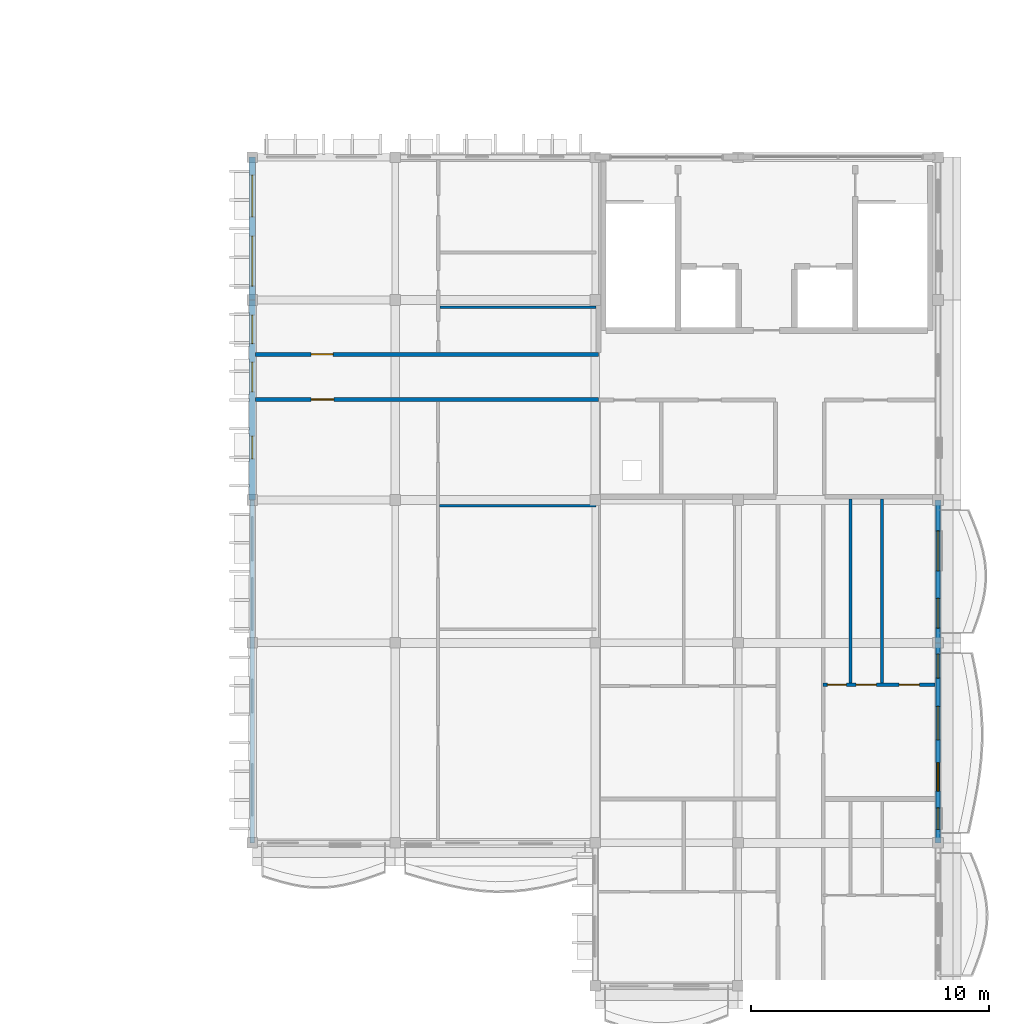
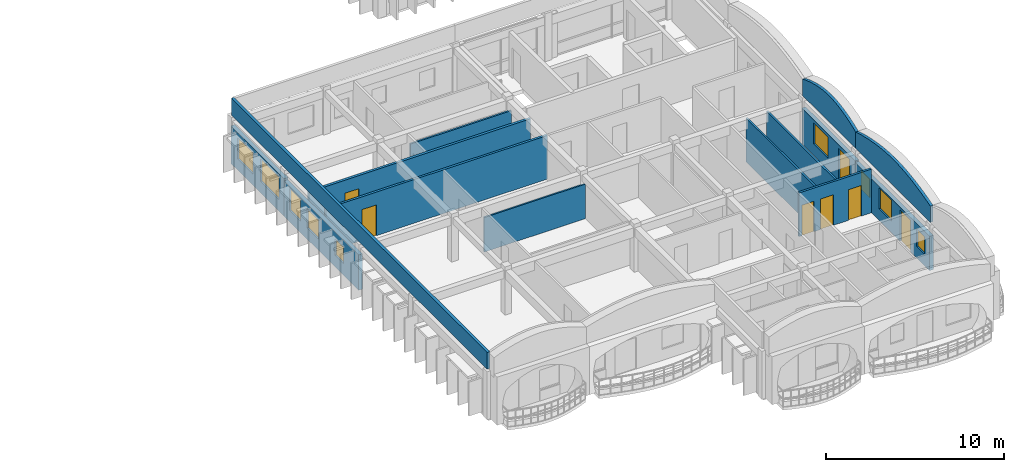
# One storey, part 28 of 59: 14 walls, 9 windows, 7 doors, 16 openings.
"""IFC4 building model written with IfcOpenShell, lengths in metres."""

from ifc_helpers import new_model, si_unit, direction, frame, frame_2d, origin, place, context, subcontext, project, spatial, polyline, rectangle, outline, extrude, material, layer, layer_set, type_object, element, fill, save


model = new_model("IFC4")

# Units and contexts
model_context = context("Model", 3, precision=1e-05, world=origin(), true_north=direction((0.0, 1.0)))
body_context = subcontext(model_context, "Body", "Model", "MODEL_VIEW")
ifc_project = project(units=[si_unit("LENGTHUNIT", "METRE"), si_unit("AREAUNIT", "SQUARE_METRE"), si_unit("VOLUMEUNIT", "CUBIC_METRE"), si_unit("PLANEANGLEUNIT", "RADIAN"), si_unit("MASSUNIT", "GRAM", prefix="KILO"), si_unit("THERMODYNAMICTEMPERATUREUNIT", "KELVIN")], contexts=[model_context])

# Site, building, storey
site_placement = place(None, origin())
site = spatial("IfcSite", under=ifc_project, at=site_placement, CompositionType="ELEMENT")
building_placement = place(site_placement, origin())
building = spatial("IfcBuilding", under=site, at=building_placement, Name="Thalorik Housing Commons", CompositionType="ELEMENT")
storey_placement = place(building_placement, frame((0.0, 0.0, 27.89990234375)))
storey = spatial("IfcBuildingStorey", under=building, at=storey_placement, Name="L08", CompositionType="ELEMENT", Elevation=27.89990234375)

# Wall, opening, door
ifc_material_1 = material(Name="Masonry fire-rated corridor wall", Category="masonry")
ifc_layer_1 = layer(ifc_material_1, 0.14990234375, Name="Masonry fire-rated corridor wall", Category="masonry")
ifc_layer_set_1 = layer_set([ifc_layer_1], Name="Masonry fire-rated corridor wall")
wall_type_1 = type_object("IfcWallType", Name="ARC-WAL-CORR-150", PredefinedType="PARTITIONING", material=ifc_layer_set_1)
wall_1_placement = place(storey_placement, frame((138.12939453125, 61.820068359375, 0.0), z_axis=(0.0, 0.0, 1.0), x_axis=(1.0, 0.0, 0.0)))
wall_1 = element("IfcWall", 1, at=wall_1_placement, inside=storey, type_object=wall_type_1, Name="L08 Block D R Corridor Wall 1", PredefinedType="PARTITIONING", context=body_context, shape_type="SweptSolid", body=[
    extrude(rectangle(XDim=14.41064453125, YDim=0.14990234375, at=frame_2d((7.205322265625, 0.0))), origin(), (0.0, 0.0, 1.0), 3.0),
])
opening_1_placement = place(wall_1_placement, frame((2.33935546875, 0.0, 0.0)))
opening_1 = element("IfcOpeningElement", 2, at=opening_1_placement, cuts=wall_1, Name="Opening ID-2170", PredefinedType="OPENING", context=body_context, shape_type="SweptSolid", body=[
    extrude(rectangle(XDim=0.9599609375, YDim=2.1201171875, at=frame_2d((0.47998046875, 1.06005859375))), frame((0.0, 0.0849609375, 0.0), z_axis=(0.0, -1.0, 0.0), x_axis=(1.0, 0.0, 0.0)), (0.0, 0.0, 1.0), 0.169921875),
])
ifc_material_2 = material(Name="Solid core hardwood timber", Category="wood")
door_type_1 = type_object("IfcDoorType", Name="ARC-DR-FD30-960", OperationType="NOTDEFINED", PredefinedType="DOOR", material=ifc_material_2)
door_1_placement = place(opening_1_placement, origin())
door_1 = element("IfcDoor", 3, at=door_1_placement, inside=storey, type_object=door_type_1, Name="L08 Flat DR-1A Entrance Door", OperationType="SINGLE_SWING_LEFT", OverallHeight=2.1201171875, OverallWidth=0.9599609375, PredefinedType="DOOR", context=body_context, shape_type="SweptSolid", body=[
    extrude(rectangle(XDim=0.9599609375, YDim=2.1201171875, at=frame_2d((0.47998046875, 1.06005859375))), frame((0.0, 0.02490234375, 0.0), z_axis=(0.0, -1.0, 0.0), x_axis=(1.0, 0.0, 0.0)), (0.0, 0.0, 1.0), 0.050048828125),
])
fill(opening_1, door_1)

ifc_layer_2 = layer(ifc_material_1, 0.1650390625, Name="Masonry fire-rated corridor wall", Category="masonry")
ifc_layer_set_2 = layer_set([ifc_layer_2], Name="Masonry fire-rated corridor wall")
wall_type_2 = type_object("IfcWallType", Name="ARC-WAL-CORR-165", PredefinedType="PARTITIONING", material=ifc_layer_set_2)
wall_2_placement = place(storey_placement, frame((138.12939453125, 63.719970703125, 0.0), z_axis=(0.0, 0.0, 1.0), x_axis=(1.0, 0.0, 0.0)))
wall_2 = element("IfcWall", 4, at=wall_2_placement, inside=storey, type_object=wall_type_2, Name="L08 Block D R Corridor Wall 2", PredefinedType="PARTITIONING", context=body_context, shape_type="SweptSolid", body=[
    extrude(rectangle(XDim=14.41064453125, YDim=0.1650390625, at=frame_2d((7.205322265625, 0.0))), origin(), (0.0, 0.0, 1.0), 3.0),
])
opening_2_placement = place(wall_2_placement, frame((2.3427734375, 0.0, 0.0)))
opening_2 = element("IfcOpeningElement", 5, at=opening_2_placement, cuts=wall_2, Name="Opening ID-2171", PredefinedType="OPENING", context=body_context, shape_type="SweptSolid", body=[
    extrude(rectangle(XDim=0.919921875, YDim=2.10009765625, at=frame_2d((0.4599609375, 1.050048828125))), frame((0.0, 0.092529296875, 0.0), z_axis=(0.0, -1.0, 0.0), x_axis=(1.0, 0.0, 0.0)), (0.0, 0.0, 1.0), 0.18505859375),
])
door_type_2 = type_object("IfcDoorType", Name="ARC-DR-FD30-920", OperationType="NOTDEFINED", PredefinedType="DOOR", material=ifc_material_2)
door_2_placement = place(opening_2_placement, origin())
door_2 = element("IfcDoor", 6, at=door_2_placement, inside=storey, type_object=door_type_2, Name="L08 Flat DR-1B Entrance Door", OperationType="SINGLE_SWING_RIGHT", OverallHeight=2.10009765625, OverallWidth=0.919921875, PredefinedType="DOOR", context=body_context, shape_type="SweptSolid", body=[
    extrude(rectangle(XDim=0.919921875, YDim=2.10009765625, at=frame_2d((0.4599609375, 1.050048828125))), frame((0.0, 0.02490234375, 0.0), z_axis=(0.0, -1.0, 0.0), x_axis=(1.0, 0.0, 0.0)), (0.0, 0.0, 1.0), 0.050048828125),
])
fill(opening_2, door_2)

# Wall, openings, windows
ifc_material_3 = material(Name="White precast concrete C40/50", Category="concrete")
ifc_layer_3 = layer(ifc_material_3, 0.2548828125, Name="White precast concrete C40/50", Category="concrete")
ifc_layer_set_3 = layer_set([ifc_layer_3], Name="White precast concrete C40/50")
wall_type_3 = type_object("IfcWallType", Name="ARC-WAL-EXT-255", PredefinedType="STANDARD", material=ifc_layer_set_3)
wall_3_placement = place(storey_placement, frame((138.0, 72.0, 0.0), z_axis=(0.0, 0.0, 1.0), x_axis=(0.0, -1.0, 0.0)))
wall_3 = element("IfcWall", 7, at=wall_3_placement, inside=storey, type_object=wall_type_3, Name="L08 Exterior Wall WAL-EXT-L08-D-1263", PredefinedType="STANDARD", context=body_context, shape_type="SweptSolid", body=[
    extrude(rectangle(XDim=6.0, YDim=0.2548828125, at=frame_2d((3.0, 0.0))), origin(), (0.0, 0.0, 1.0), 2.5751953125),
])
opening_3_placement = place(wall_3_placement, frame((0.7548828125, 0.0, 0.780029296875)))
opening_3 = element("IfcOpeningElement", 8, at=opening_3_placement, cuts=wall_3, Name="Opening W-17", PredefinedType="OPENING", context=body_context, shape_type="SweptSolid", body=[
    extrude(rectangle(XDim=1.75, YDim=1.449951171875, at=frame_2d((0.875, 0.72509765625))), frame((0.0, 0.137451171875, 0.0), z_axis=(0.0, -1.0, 0.0), x_axis=(1.0, 0.0, 0.0)), (0.0, 0.0, 1.0), 0.27490234375),
])
opening_4_placement = place(wall_3_placement, frame((3.320068359375, 0.0, 0.780029296875)))
opening_4 = element("IfcOpeningElement", 9, at=opening_4_placement, cuts=wall_3, Name="Opening W-26", PredefinedType="OPENING", context=body_context, shape_type="SweptSolid", body=[
    extrude(rectangle(XDim=2.10009765625, YDim=1.550048828125, at=frame_2d((1.050048828125, 0.77490234375))), frame((0.0, 0.137451171875, 0.0), z_axis=(0.0, -1.0, 0.0), x_axis=(1.0, 0.0, 0.0)), (0.0, 0.0, 1.0), 0.27490234375),
])
ifc_material_4 = material(Name="Anodised aluminium and solar-control low-E glass", Category="aluminium")
window_type_1 = type_object("IfcWindowType", Name="ARC-WIN-17", PartitioningType="DOUBLE_PANEL_VERTICAL", PredefinedType="WINDOW", material=ifc_material_4)
window_1_placement = place(opening_3_placement, origin())
window_1 = element("IfcWindow", 10, at=window_1_placement, inside=storey, type_object=window_type_1, Name="L08 Facade Window 2300", OverallHeight=1.449951171875, OverallWidth=1.75, PartitioningType="DOUBLE_PANEL_VERTICAL", PredefinedType="WINDOW", context=body_context, shape_type="SweptSolid", body=[
    extrude(rectangle(XDim=1.75, YDim=1.449951171875, at=frame_2d((0.875, 0.72509765625))), frame((0.0, 0.030029296875, 0.0), z_axis=(0.0, -1.0, 0.0), x_axis=(1.0, 0.0, 0.0)), (0.0, 0.0, 1.0), 0.06005859375),
])
fill(opening_3, window_1)
window_type_2 = type_object("IfcWindowType", Name="ARC-WIN-26", PartitioningType="DOUBLE_PANEL_VERTICAL", PredefinedType="WINDOW", material=ifc_material_4)
window_2_placement = place(opening_4_placement, origin())
window_2 = element("IfcWindow", 11, at=window_2_placement, inside=storey, type_object=window_type_2, Name="L08 Facade Window 2301", OverallHeight=1.550048828125, OverallWidth=2.10009765625, PartitioningType="DOUBLE_PANEL_VERTICAL", PredefinedType="WINDOW", context=body_context, shape_type="SweptSolid", body=[
    extrude(rectangle(XDim=2.10009765625, YDim=1.550048828125, at=frame_2d((1.050048828125, 0.77490234375))), frame((0.0, 0.030029296875, 0.0), z_axis=(0.0, -1.0, 0.0), x_axis=(1.0, 0.0, 0.0)), (0.0, 0.0, 1.0), 0.06005859375),
])
fill(opening_4, window_2)

wall_4_placement = place(storey_placement, frame((138.0, 66.0, 0.0), z_axis=(0.0, 0.0, 1.0), x_axis=(0.0, -1.0, 0.0)))
wall_4 = element("IfcWall", 12, at=wall_4_placement, inside=storey, type_object=wall_type_3, Name="L08 Exterior Wall WAL-EXT-L08-D-1264", PredefinedType="STANDARD", context=body_context, shape_type="SweptSolid", body=[
    extrude(rectangle(XDim=8.39990234375, YDim=0.2548828125, at=frame_2d((4.199951171875, 0.0))), origin(), (0.0, 0.0, 1.0), 2.425048828125),
])
opening_5_placement = place(wall_4_placement, frame((0.635009765625, 0.0, 0.780029296875)))
opening_5 = element("IfcOpeningElement", 13, at=opening_5_placement, cuts=wall_4, Name="Opening W-05", PredefinedType="OPENING", context=body_context, shape_type="SweptSolid", body=[
    extrude(rectangle(XDim=1.199951171875, YDim=1.5, at=frame_2d((0.60009765625, 0.75))), frame((0.0, 0.137451171875, 0.0), z_axis=(0.0, -1.0, 0.0), x_axis=(1.0, 0.0, 0.0)), (0.0, 0.0, 1.0), 0.27490234375),
])
opening_6_placement = place(wall_4_placement, frame((2.60498046875, 0.0, 0.780029296875)))
opening_6 = element("IfcOpeningElement", 14, at=opening_6_placement, cuts=wall_4, Name="Opening W-46", PredefinedType="OPENING", context=body_context, shape_type="SweptSolid", body=[
    extrude(rectangle(XDim=1.25, YDim=1.300048828125, at=frame_2d((0.625, 0.64990234375))), frame((0.0, 0.137451171875, 0.0), z_axis=(0.0, -1.0, 0.0), x_axis=(1.0, 0.0, 0.0)), (0.0, 0.0, 1.0), 0.27490234375),
])
opening_7_placement = place(wall_4_placement, frame((5.719970703125, 0.0, 0.780029296875)))
opening_7 = element("IfcOpeningElement", 15, at=opening_7_placement, cuts=wall_4, Name="Opening W-43", PredefinedType="OPENING", context=body_context, shape_type="SweptSolid", body=[
    extrude(rectangle(XDim=0.949951171875, YDim=1.14990234375, at=frame_2d((0.47509765625, 0.574951171875))), frame((0.0, 0.137451171875, 0.0), z_axis=(0.0, -1.0, 0.0), x_axis=(1.0, 0.0, 0.0)), (0.0, 0.0, 1.0), 0.27490234375),
])
window_type_3 = type_object("IfcWindowType", Name="ARC-WIN-05", PartitioningType="SINGLE_PANEL", PredefinedType="WINDOW", material=ifc_material_4)
window_3_placement = place(opening_5_placement, origin())
window_3 = element("IfcWindow", 16, at=window_3_placement, inside=storey, type_object=window_type_3, Name="L08 Facade Window 2302", OverallHeight=1.5, OverallWidth=1.199951171875, PartitioningType="SINGLE_PANEL", PredefinedType="WINDOW", context=body_context, shape_type="SweptSolid", body=[
    extrude(rectangle(XDim=1.199951171875, YDim=1.5, at=frame_2d((0.60009765625, 0.75))), frame((0.0, 0.030029296875, 0.0), z_axis=(0.0, -1.0, 0.0), x_axis=(1.0, 0.0, 0.0)), (0.0, 0.0, 1.0), 0.06005859375),
])
fill(opening_5, window_3)
window_type_4 = type_object("IfcWindowType", Name="ARC-WIN-43", PartitioningType="SINGLE_PANEL", PredefinedType="WINDOW", material=ifc_material_4)
window_4_placement = place(opening_7_placement, origin())
window_4 = element("IfcWindow", 17, at=window_4_placement, inside=storey, type_object=window_type_4, Name="L08 Facade Window 2304", OverallHeight=1.14990234375, OverallWidth=0.949951171875, PartitioningType="SINGLE_PANEL", PredefinedType="WINDOW", context=body_context, shape_type="SweptSolid", body=[
    extrude(rectangle(XDim=0.949951171875, YDim=1.14990234375, at=frame_2d((0.47509765625, 0.574951171875))), frame((0.0, 0.030029296875, 0.0), z_axis=(0.0, -1.0, 0.0), x_axis=(1.0, 0.0, 0.0)), (0.0, 0.0, 1.0), 0.06005859375),
])
fill(opening_7, window_4)
window_type_5 = type_object("IfcWindowType", Name="ARC-WIN-46", PartitioningType="SINGLE_PANEL", PredefinedType="WINDOW", material=ifc_material_4)
window_5_placement = place(opening_6_placement, origin())
window_5 = element("IfcWindow", 18, at=window_5_placement, inside=storey, type_object=window_type_5, Name="L08 Facade Window 2303", OverallHeight=1.300048828125, OverallWidth=1.25, PartitioningType="SINGLE_PANEL", PredefinedType="WINDOW", context=body_context, shape_type="SweptSolid", body=[
    extrude(rectangle(XDim=1.25, YDim=1.300048828125, at=frame_2d((0.625, 0.64990234375))), frame((0.0, 0.030029296875, 0.0), z_axis=(0.0, -1.0, 0.0), x_axis=(1.0, 0.0, 0.0)), (0.0, 0.0, 1.0), 0.06005859375),
])
fill(opening_6, window_5)

# Wall, openings, door, windows
wall_5_placement = place(storey_placement, frame((166.800048828125, 43.199951171875, 0.0), z_axis=(0.0, 0.0, 1.0), x_axis=(0.0, 1.0, 0.0)))
wall_5 = element("IfcWall", 19, at=wall_5_placement, inside=storey, type_object=wall_type_3, Name="L08 Exterior Wall WAL-EXT-L08-D-1273", PredefinedType="STANDARD", context=body_context, shape_type="SweptSolid", body=[
    extrude(rectangle(XDim=8.400146484375, YDim=0.2548828125, at=frame_2d((4.2001953125, 0.0))), origin(), (0.0, 0.0, 1.0), 2.34521484375),
])
opening_8_placement = place(wall_5_placement, frame((2.169921875, 0.0, 0.0)))
opening_8 = element("IfcOpeningElement", 20, at=opening_8_placement, cuts=wall_5, Name="Opening ED-0435", PredefinedType="OPENING", context=body_context, shape_type="SweptSolid", body=[
    extrude(rectangle(XDim=1.199951171875, YDim=2.14990234375, at=frame_2d((0.60009765625, 1.074951171875))), frame((0.0, 0.137451171875, 0.0), z_axis=(0.0, -1.0, 0.0), x_axis=(1.0, 0.0, 0.0)), (0.0, 0.0, 1.0), 0.27490234375),
])
opening_9_placement = place(wall_5_placement, frame((0.56494140625, 0.0, 0.780029296875)))
opening_9 = element("IfcOpeningElement", 21, at=opening_9_placement, cuts=wall_5, Name="Opening W-01", PredefinedType="OPENING", context=body_context, shape_type="SweptSolid", body=[
    extrude(rectangle(XDim=0.89990234375, YDim=1.199951171875, at=frame_2d((0.449951171875, 0.60009765625))), frame((0.0, 0.137451171875, 0.0), z_axis=(0.0, -1.0, 0.0), x_axis=(1.0, 0.0, 0.0)), (0.0, 0.0, 1.0), 0.27490234375),
])
opening_10_placement = place(wall_5_placement, frame((4.327880859375, 0.0, 0.780029296875)))
opening_10 = element("IfcOpeningElement", 22, at=opening_10_placement, cuts=wall_5, Name="Opening W-08", PredefinedType="OPENING", context=body_context, shape_type="SweptSolid", body=[
    extrude(rectangle(XDim=1.39990234375, YDim=1.449951171875, at=frame_2d((0.699951171875, 0.72509765625))), frame((0.0, 0.137451171875, 0.0), z_axis=(0.0, -1.0, 0.0), x_axis=(1.0, 0.0, 0.0)), (0.0, 0.0, 1.0), 0.27490234375),
])
opening_11_placement = place(wall_5_placement, frame((6.923095703125, 0.0, 0.780029296875)))
opening_11 = element("IfcOpeningElement", 23, at=opening_11_placement, cuts=wall_5, Name="Opening W-02", PredefinedType="OPENING", context=body_context, shape_type="SweptSolid", body=[
    extrude(rectangle(XDim=1.0, YDim=1.25, at=frame_2d((0.5, 0.625))), frame((0.0, 0.137451171875, 0.0), z_axis=(0.0, -1.0, 0.0), x_axis=(1.0, 0.0, 0.0)), (0.0, 0.0, 1.0), 0.27490234375),
])
ifc_material_5 = material(Name="Anodised aluminium and laminated safety glass", Category="aluminium")
door_type_3 = type_object("IfcDoorType", Name="ARC-DR-BAL-1200", OperationType="NOTDEFINED", PredefinedType="DOOR", material=ifc_material_5)
door_3_placement = place(opening_8_placement, frame((1.199951171875, 0.0, 0.0), z_axis=(0.0, 0.0, 1.0), x_axis=(-1.0, 0.0, 0.0)))
door_3 = element("IfcDoor", 24, at=door_3_placement, inside=storey, type_object=door_type_3, Name="L08 Block D Balcony Glazed Door", OperationType="SINGLE_SWING_RIGHT", OverallHeight=2.14990234375, OverallWidth=1.199951171875, PredefinedType="DOOR", context=body_context, shape_type="SweptSolid", body=[
    extrude(rectangle(XDim=1.199951171875, YDim=2.14990234375, at=frame_2d((0.60009765625, 1.074951171875))), frame((0.0, 0.02490234375, 0.0), z_axis=(0.0, -1.0, 0.0), x_axis=(1.0, 0.0, 0.0)), (0.0, 0.0, 1.0), 0.050048828125),
])
fill(opening_8, door_3)
window_type_6 = type_object("IfcWindowType", Name="ARC-WIN-01", PartitioningType="SINGLE_PANEL", PredefinedType="WINDOW", material=ifc_material_4)
window_6_placement = place(opening_9_placement, origin())
window_6 = element("IfcWindow", 25, at=window_6_placement, inside=storey, type_object=window_type_6, Name="L08 Facade Window 2320", OverallHeight=1.199951171875, OverallWidth=0.89990234375, PartitioningType="SINGLE_PANEL", PredefinedType="WINDOW", context=body_context, shape_type="SweptSolid", body=[
    extrude(rectangle(XDim=0.89990234375, YDim=1.199951171875, at=frame_2d((0.449951171875, 0.60009765625))), frame((0.0, 0.030029296875, 0.0), z_axis=(0.0, -1.0, 0.0), x_axis=(1.0, 0.0, 0.0)), (0.0, 0.0, 1.0), 0.06005859375),
])
fill(opening_9, window_6)
window_type_7 = type_object("IfcWindowType", Name="ARC-WIN-02", PartitioningType="SINGLE_PANEL", PredefinedType="WINDOW", material=ifc_material_4)
window_7_placement = place(opening_11_placement, origin())
window_7 = element("IfcWindow", 26, at=window_7_placement, inside=storey, type_object=window_type_7, Name="L08 Facade Window 2322", OverallHeight=1.25, OverallWidth=1.0, PartitioningType="SINGLE_PANEL", PredefinedType="WINDOW", context=body_context, shape_type="SweptSolid", body=[
    extrude(rectangle(XDim=1.0, YDim=1.25, at=frame_2d((0.5, 0.625))), frame((0.0, 0.030029296875, 0.0), z_axis=(0.0, -1.0, 0.0), x_axis=(1.0, 0.0, 0.0)), (0.0, 0.0, 1.0), 0.06005859375),
])
fill(opening_11, window_7)
window_type_8 = type_object("IfcWindowType", Name="ARC-WIN-08", PartitioningType="SINGLE_PANEL", PredefinedType="WINDOW", material=ifc_material_4)
window_8_placement = place(opening_10_placement, origin())
window_8 = element("IfcWindow", 27, at=window_8_placement, inside=storey, type_object=window_type_8, Name="L08 Facade Window 2321", OverallHeight=1.449951171875, OverallWidth=1.39990234375, PartitioningType="SINGLE_PANEL", PredefinedType="WINDOW", context=body_context, shape_type="SweptSolid", body=[
    extrude(rectangle(XDim=1.39990234375, YDim=1.449951171875, at=frame_2d((0.699951171875, 0.72509765625))), frame((0.0, 0.030029296875, 0.0), z_axis=(0.0, -1.0, 0.0), x_axis=(1.0, 0.0, 0.0)), (0.0, 0.0, 1.0), 0.06005859375),
])
fill(opening_10, window_8)

# Wall, openings, door, window
wall_6_placement = place(storey_placement, frame((166.800048828125, 51.60009765625, 0.0), z_axis=(0.0, 0.0, 1.0), x_axis=(0.0, 1.0, 0.0)))
wall_6 = element("IfcWall", 28, at=wall_6_placement, inside=storey, type_object=wall_type_3, Name="L08 Exterior Wall WAL-EXT-L08-D-1274", PredefinedType="STANDARD", context=body_context, shape_type="SweptSolid", body=[
    extrude(rectangle(XDim=6.0, YDim=0.2548828125, at=frame_2d((3.0, 0.0))), origin(), (0.0, 0.0, 1.0), 2.445068359375),
])
opening_12_placement = place(wall_6_placement, frame((0.6201171875, 0.0, 0.0)))
opening_12 = element("IfcOpeningElement", 29, at=opening_12_placement, cuts=wall_6, Name="Opening ED-0436", PredefinedType="OPENING", context=body_context, shape_type="SweptSolid", body=[
    extrude(rectangle(XDim=1.25, YDim=2.199951171875, at=frame_2d((0.625, 1.10009765625))), frame((0.0, 0.137451171875, 0.0), z_axis=(0.0, -1.0, 0.0), x_axis=(1.0, 0.0, 0.0)), (0.0, 0.0, 1.0), 0.27490234375),
])
opening_13_placement = place(wall_6_placement, frame((3.02490234375, 0.0, 0.780029296875)))
opening_13 = element("IfcOpeningElement", 30, at=opening_13_placement, cuts=wall_6, Name="Opening W-55", PredefinedType="OPENING", context=body_context, shape_type="SweptSolid", body=[
    extrude(rectangle(XDim=1.679931640625, YDim=1.4599609375, at=frame_2d((0.83984375, 0.72998046875))), frame((0.0, 0.137451171875, 0.0), z_axis=(0.0, -1.0, 0.0), x_axis=(1.0, 0.0, 0.0)), (0.0, 0.0, 1.0), 0.27490234375),
])
door_type_4 = type_object("IfcDoorType", Name="ARC-DR-BAL-1250", OperationType="NOTDEFINED", PredefinedType="DOOR", material=ifc_material_5)
door_4_placement = place(opening_12_placement, frame((1.25, 0.0, 0.0), z_axis=(0.0, 0.0, 1.0), x_axis=(-1.0, 0.0, 0.0)))
door_4 = element("IfcDoor", 31, at=door_4_placement, inside=storey, type_object=door_type_4, Name="L08 Block D Balcony Glazed Door", OperationType="SINGLE_SWING_LEFT", OverallHeight=2.199951171875, OverallWidth=1.25, PredefinedType="DOOR", context=body_context, shape_type="SweptSolid", body=[
    extrude(rectangle(XDim=1.25, YDim=2.199951171875, at=frame_2d((0.625, 1.10009765625))), frame((0.0, 0.02490234375, 0.0), z_axis=(0.0, -1.0, 0.0), x_axis=(1.0, 0.0, 0.0)), (0.0, 0.0, 1.0), 0.050048828125),
])
fill(opening_12, door_4)
window_type_9 = type_object("IfcWindowType", Name="ARC-WIN-55", PartitioningType="DOUBLE_PANEL_VERTICAL", PredefinedType="WINDOW", material=ifc_material_4)
window_9_placement = place(opening_13_placement, origin())
window_9 = element("IfcWindow", 32, at=window_9_placement, inside=storey, type_object=window_type_9, Name="L08 Facade Window 2323", OverallHeight=1.4599609375, OverallWidth=1.679931640625, PartitioningType="DOUBLE_PANEL_VERTICAL", PredefinedType="WINDOW", context=body_context, shape_type="SweptSolid", body=[
    extrude(rectangle(XDim=1.679931640625, YDim=1.4599609375, at=frame_2d((0.83984375, 0.72998046875))), frame((0.0, 0.030029296875, 0.0), z_axis=(0.0, -1.0, 0.0), x_axis=(1.0, 0.0, 0.0)), (0.0, 0.0, 1.0), 0.06005859375),
])
fill(opening_13, window_9)

# Walls
ifc_layer_4 = layer(ifc_material_3, 0.179931640625, Name="White precast concrete C40/50", Category="concrete")
ifc_layer_set_4 = layer_set([ifc_layer_4], Name="White precast concrete C40/50")
wall_type_4 = type_object("IfcWallType", Name="ARC-WAL-PAR-180", PredefinedType="PARAPET", material=ifc_layer_set_4)
wall_7_placement = place(storey_placement, frame((138.0, 72.0, 3.300048828125), z_axis=(0.0, 0.0, 1.0), x_axis=(0.0, -1.0, 0.0)))
element("IfcWall", 33, at=wall_7_placement, inside=storey, type_object=wall_type_4, Name="L08 Block D Roof Parapet 46", PredefinedType="PARAPET", context=body_context, shape_type="SweptSolid", body=[
    extrude(rectangle(XDim=28.800048828125, YDim=0.179931640625, at=frame_2d((14.39990234375, 0.0))), origin(), (0.0, 0.0, 1.0), 1.150146484375),
])
wall_8_placement = place(storey_placement, frame((166.800048828125, 43.199951171875, 3.300048828125), z_axis=(0.0, 0.0, 1.0), x_axis=(0.0, 1.0, 0.0)))
element("IfcWall", 34, at=wall_8_placement, inside=storey, type_object=wall_type_4, Name="L08 Block D Scalloped Arched Roof Parapet 53", PredefinedType="PARAPET", context=body_context, shape_type="SweptSolid", body=[
    extrude(outline(polyline([(0.0, 0.0), (8.400146484375, 0.0), (8.39990234375, 1.1201171875), (7.699951171875, 1.321533203125), (7.0, 1.484375), (6.300048828125, 1.617919921875), (5.60009765625, 1.717529296875), (4.89990234375, 1.779052734375), (4.199951171875, 1.800048828125), (3.5, 1.779052734375), (2.800048828125, 1.717529296875), (2.10009765625, 1.617919921875), (1.39990234375, 1.484375), (0.699951171875, 1.321533203125), (0.0, 1.1201171875), (0.0, 0.0)])), frame((0.0, 0.08984375, 0.0), z_axis=(0.0, -1.0, 0.0), x_axis=(1.0, 0.0, 0.0)), (0.0, 0.0, 1.0), 0.179931640625),
])
wall_9_placement = place(storey_placement, frame((166.800048828125, 51.60009765625, 3.300048828125), z_axis=(0.0, 0.0, 1.0), x_axis=(0.0, 1.0, 0.0)))
element("IfcWall", 35, at=wall_9_placement, inside=storey, type_object=wall_type_4, Name="L08 Block D Scalloped Arched Roof Parapet 54", PredefinedType="PARAPET", context=body_context, shape_type="SweptSolid", body=[
    extrude(outline(polyline([(0.0, 0.0), (6.0, 0.0), (6.0, 1.1201171875), (5.5, 1.321533203125), (5.0, 1.484375), (4.5, 1.617919921875), (4.0, 1.717529296875), (3.5, 1.779052734375), (3.0, 1.800048828125), (2.5, 1.779052734375), (2.0, 1.717529296875), (1.5, 1.617919921875), (1.0, 1.484375), (0.5, 1.321533203125), (0.0, 1.1201171875), (0.0, 0.0)])), frame((0.0, 0.08984375, 0.0), z_axis=(0.0, -1.0, 0.0), x_axis=(1.0, 0.0, 0.0)), (0.0, 0.0, 1.0), 0.179931640625),
])
ifc_material_6 = material(Name="Gypsum light stud partition", Category="masonry")
ifc_layer_5 = layer(ifc_material_6, 0.10009765625, Name="Gypsum light stud partition", Category="masonry")
ifc_layer_set_5 = layer_set([ifc_layer_5], Name="Gypsum light stud partition")
wall_type_5 = type_object("IfcWallType", Name="ARC-WAL-PART-100", PredefinedType="PARTITIONING", material=ifc_layer_set_5)
wall_10_placement = place(storey_placement, frame((145.864501953125, 57.365478515625, 0.0), z_axis=(0.0, 0.0, 1.0), x_axis=(1.0, 0.0, 0.0)))
element("IfcWall", 36, at=wall_10_placement, inside=storey, type_object=wall_type_5, Name="L08 Unit 1 Wet Wall", PredefinedType="PARTITIONING", context=body_context, shape_type="SweptSolid", body=[
    extrude(rectangle(XDim=6.5810546875, YDim=0.10009765625, at=frame_2d((3.29052734375, 0.0))), origin(), (0.0, 0.0, 1.0), 2.375),
])
ifc_material_7 = material(Name="Gypsum moisture-resistant partition", Category="masonry")
ifc_layer_6 = layer(ifc_material_7, 0.114990234375, Name="Gypsum moisture-resistant partition", Category="masonry")
ifc_layer_set_6 = layer_set([ifc_layer_6], Name="Gypsum moisture-resistant partition")
wall_type_6 = type_object("IfcWallType", Name="ARC-WAL-PART-115", PredefinedType="PARTITIONING", material=ifc_layer_set_6)
wall_11_placement = place(storey_placement, frame((163.122314453125, 49.907958984375, 0.0), z_axis=(0.0, 0.0, 1.0), x_axis=(0.0, 1.0, 0.0)))
element("IfcWall", 37, at=wall_11_placement, inside=storey, type_object=wall_type_6, Name="L08 Unit 2B Wet Wall", PredefinedType="PARTITIONING", context=body_context, shape_type="SweptSolid", body=[
    extrude(rectangle(XDim=7.737548828125, YDim=0.114990234375, at=frame_2d((3.86865234375, 0.0))), origin(), (0.0, 0.0, 1.0), 3.0),
])
wall_12_placement = place(storey_placement, frame((145.88232421875, 65.69287109375, 0.0), z_axis=(0.0, 0.0, 1.0), x_axis=(1.0, 0.0, 0.0)))
element("IfcWall", 38, at=wall_12_placement, inside=storey, type_object=wall_type_6, Name="L08 Unit 1B Wet Wall", PredefinedType="PARTITIONING", context=body_context, shape_type="SweptSolid", body=[
    extrude(rectangle(XDim=6.5556640625, YDim=0.114990234375, at=frame_2d((3.27783203125, 0.0))), origin(), (0.0, 0.0, 1.0), 2.375),
])
ifc_material_8 = material(Name="Gypsum acoustic stud partition", Category="masonry")
ifc_layer_7 = layer(ifc_material_8, 0.125, Name="Gypsum acoustic stud partition", Category="masonry")
ifc_layer_set_7 = layer_set([ifc_layer_7], Name="Gypsum acoustic stud partition")
wall_type_7 = type_object("IfcWallType", Name="ARC-WAL-PART-125", PredefinedType="PARTITIONING", material=ifc_layer_set_7)
wall_13_placement = place(storey_placement, frame((164.455078125, 49.907958984375, 0.0), z_axis=(0.0, 0.0, 1.0), x_axis=(0.0, 1.0, 0.0)))
element("IfcWall", 39, at=wall_13_placement, inside=storey, type_object=wall_type_7, Name="L08 Unit 2B Bedroom Partition", PredefinedType="PARTITIONING", context=body_context, shape_type="SweptSolid", body=[
    extrude(rectangle(XDim=7.737548828125, YDim=0.125, at=frame_2d((3.86865234375, 0.0))), origin(), (0.0, 0.0, 1.0), 3.0),
])

# Wall, openings, doors
ifc_material_9 = material(Name="Ceramic masonry partition wall", Category="masonry")
ifc_layer_8 = layer(ifc_material_9, 0.139892578125, Name="Ceramic masonry partition wall", Category="masonry")
ifc_layer_set_8 = layer_set([ifc_layer_8], Name="Ceramic masonry partition wall")
wall_type_8 = type_object("IfcWallType", Name="ARC-WAL-PART-140", PredefinedType="PARTITIONING", material=ifc_layer_set_8)
wall_14_placement = place(storey_placement, frame((161.97998046875, 49.8359375, 0.0), z_axis=(0.0, 0.0, 1.0), x_axis=(1.0, 0.0, 0.0)))
wall_14 = element("IfcWall", 40, at=wall_14_placement, inside=storey, type_object=wall_type_8, Name="L08 Unit 2B Spine Partition", PredefinedType="PARTITIONING", context=body_context, shape_type="SweptSolid", body=[
    extrude(rectangle(XDim=4.6904296875, YDim=0.139892578125, at=frame_2d((2.34521484375, 0.0))), origin(), (0.0, 0.0, 1.0), 3.0),
])
opening_14_placement = place(wall_14_placement, frame((0.171142578125, 0.0, 0.0)))
opening_14 = element("IfcOpeningElement", 41, at=opening_14_placement, cuts=wall_14, Name="Opening ID-2157", PredefinedType="OPENING", context=body_context, shape_type="SweptSolid", body=[
    extrude(rectangle(XDim=0.800048828125, YDim=2.10009765625, at=frame_2d((0.39990234375, 1.050048828125))), frame((0.0, 0.080078125, 0.0), z_axis=(0.0, -1.0, 0.0), x_axis=(1.0, 0.0, 0.0)), (0.0, 0.0, 1.0), 0.159912109375),
])
opening_15_placement = place(wall_14_placement, frame((1.3837890625, 0.0, 0.0)))
opening_15 = element("IfcOpeningElement", 42, at=opening_15_placement, cuts=wall_14, Name="Opening ID-2158", PredefinedType="OPENING", context=body_context, shape_type="SweptSolid", body=[
    extrude(rectangle(XDim=0.85009765625, YDim=2.10009765625, at=frame_2d((0.425048828125, 1.050048828125))), frame((0.0, 0.080078125, 0.0), z_axis=(0.0, -1.0, 0.0), x_axis=(1.0, 0.0, 0.0)), (0.0, 0.0, 1.0), 0.159912109375),
])
opening_16_placement = place(wall_14_placement, frame((3.192626953125, 0.0, 0.0)))
opening_16 = element("IfcOpeningElement", 43, at=opening_16_placement, cuts=wall_14, Name="Opening ID-2159", PredefinedType="OPENING", context=body_context, shape_type="SweptSolid", body=[
    extrude(rectangle(XDim=0.85009765625, YDim=2.10009765625, at=frame_2d((0.425048828125, 1.050048828125))), frame((0.0, 0.080078125, 0.0), z_axis=(0.0, -1.0, 0.0), x_axis=(1.0, 0.0, 0.0)), (0.0, 0.0, 1.0), 0.159912109375),
])
ifc_material_10 = material(Name="Moisture-resistant timber", Category="wood")
door_type_5 = type_object("IfcDoorType", Name="ARC-DR-INT-800", OperationType="NOTDEFINED", PredefinedType="DOOR", material=ifc_material_10)
door_5_placement = place(opening_14_placement, origin())
door_5 = element("IfcDoor", 44, at=door_5_placement, inside=storey, type_object=door_type_5, Name="L08 Flat Bathroom Door", OperationType="SINGLE_SWING_RIGHT", OverallHeight=2.10009765625, OverallWidth=0.800048828125, PredefinedType="DOOR", context=body_context, shape_type="SweptSolid", body=[
    extrude(rectangle(XDim=0.800048828125, YDim=2.10009765625, at=frame_2d((0.39990234375, 1.050048828125))), frame((0.0, 0.02490234375, 0.0), z_axis=(0.0, -1.0, 0.0), x_axis=(1.0, 0.0, 0.0)), (0.0, 0.0, 1.0), 0.050048828125),
])
fill(opening_14, door_5)
ifc_material_11 = material(Name="Engineered oak timber", Category="wood")
door_type_6 = type_object("IfcDoorType", Name="ARC-DR-INT-850", OperationType="NOTDEFINED", PredefinedType="DOOR", material=ifc_material_11)
door_6_placement = place(opening_15_placement, origin())
door_6 = element("IfcDoor", 45, at=door_6_placement, inside=storey, type_object=door_type_6, Name="L08 Galley Kitchen Door", OperationType="SINGLE_SWING_LEFT", OverallHeight=2.10009765625, OverallWidth=0.85009765625, PredefinedType="DOOR", context=body_context, shape_type="SweptSolid", body=[
    extrude(rectangle(XDim=0.85009765625, YDim=2.10009765625, at=frame_2d((0.425048828125, 1.050048828125))), frame((0.0, 0.02490234375, 0.0), z_axis=(0.0, -1.0, 0.0), x_axis=(1.0, 0.0, 0.0)), (0.0, 0.0, 1.0), 0.050048828125),
])
fill(opening_15, door_6)
door_7_placement = place(opening_16_placement, origin())
door_7 = element("IfcDoor", 46, at=door_7_placement, inside=storey, type_object=door_type_6, Name="L08 Double Bedroom Door", OperationType="SINGLE_SWING_RIGHT", OverallHeight=2.10009765625, OverallWidth=0.85009765625, PredefinedType="DOOR", context=body_context, shape_type="SweptSolid", body=[
    extrude(rectangle(XDim=0.85009765625, YDim=2.10009765625, at=frame_2d((0.425048828125, 1.050048828125))), frame((0.0, 0.02490234375, 0.0), z_axis=(0.0, -1.0, 0.0), x_axis=(1.0, 0.0, 0.0)), (0.0, 0.0, 1.0), 0.050048828125),
])
fill(opening_16, door_7)

save(model, "model.ifc")
